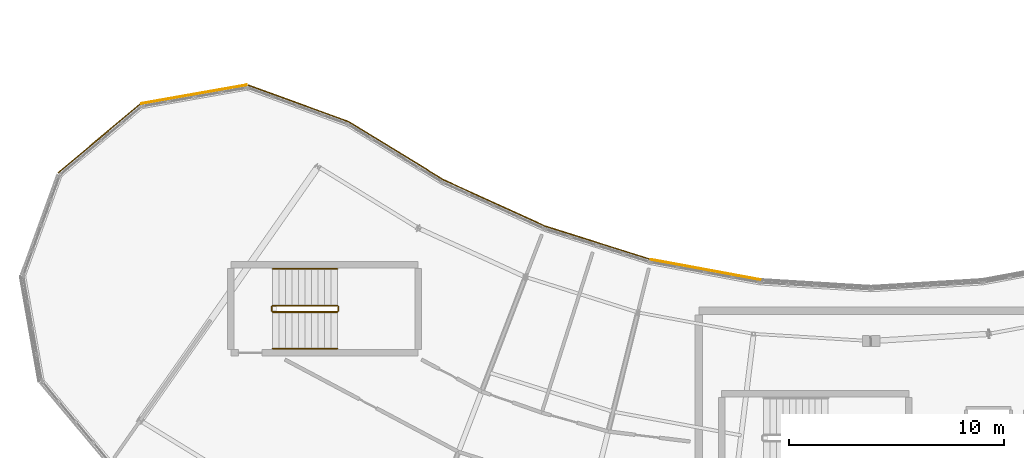
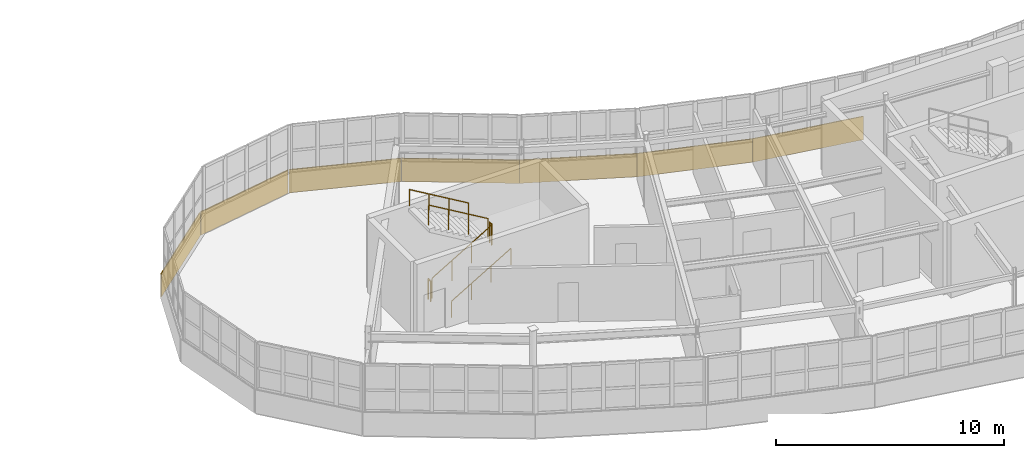
# One storey, part 59 of 65: 7 coverings, 6 railings.
"""IFC4 building model written with IfcOpenShell, lengths in metres."""

from ifc_helpers import new_model, si_unit, direction, frame, origin, origin_2d, place, context, subcontext, project, spatial, rectangle, circle, extrude, material, layer, layer_set, type_object, element, save


model = new_model("IFC4")

# Units and contexts
model_context = context("Model", 3, precision=1e-05, world=origin(), true_north=direction((0.0, 1.0)))
body_context = subcontext(model_context, "Body", "Model", "MODEL_VIEW")
ifc_project = project(units=[si_unit("LENGTHUNIT", "METRE"), si_unit("AREAUNIT", "SQUARE_METRE"), si_unit("VOLUMEUNIT", "CUBIC_METRE"), si_unit("PLANEANGLEUNIT", "RADIAN"), si_unit("MASSUNIT", "GRAM", prefix="KILO")], contexts=[model_context])

# Site, building, storey
site_placement = place(None, origin())
site = spatial("IfcSite", under=ifc_project, at=site_placement, CompositionType="ELEMENT")
building_placement = place(site_placement, origin())
building = spatial("IfcBuilding", under=site, at=building_placement, Name="Tarnwether General Hospital", CompositionType="ELEMENT")
storey_placement = place(building_placement, frame((0.0, 0.0, 22.199951171875)))
storey = spatial("IfcBuildingStorey", under=building, at=storey_placement, Name="L05", CompositionType="ELEMENT", Elevation=22.199951171875)

# Coverings
ifc_material_1 = material(Name="Streamlined white enamelled aluminium", Category="aluminium")
ifc_layer = layer(ifc_material_1, 0.044921875)
ifc_layer_set = layer_set([ifc_layer], Name="Streamlined white enamelled aluminium")
covering_type = type_object("IfcCoveringType", Name="CV-CLD-WHT", PredefinedType="CLADDING", material=ifc_layer_set)
covering_1_placement = place(storey_placement, frame((84.31201171875, 21.51708984375, -0.175048828125), z_axis=(0.0, 0.0, 1.0), x_axis=(0.983267627608, -0.182166880906, 0.0)))
element("IfcCovering", 1, at=covering_1_placement, inside=storey, type_object=covering_type, Name="Streamlined White Horizontal Band SE L05 19", PredefinedType="CLADDING", context=body_context, shape_type="SweptSolid", body=[
    extrude(rectangle(XDim=5.177001953125, YDim=0.044921875, at=origin_2d()), origin(), (0.0, 0.0, 1.0), 1.25),
])
covering_2_placement = place(storey_placement, frame((79.31396484375, 22.762939453125, -0.175048828125), z_axis=(0.0, 0.0, 1.0), x_axis=(0.953711702297, -0.300722444959, 0.0)))
element("IfcCovering", 2, at=covering_2_placement, inside=storey, type_object=covering_type, Name="Streamlined White Horizontal Band SE L05 20", PredefinedType="CLADDING", context=body_context, shape_type="SweptSolid", body=[
    extrude(rectangle(XDim=5.177978515625, YDim=0.044921875, at=origin_2d()), origin(), (0.0, 0.0, 1.0), 1.25),
])
for number, where, z_axis, x_axis, name in (
    (3, (74.50390625, 24.610107421875, -0.175048828125), (0.0, 0.0, 1.0), (0.909954032975, -0.414709124413, 0.0), "Streamlined White Horizontal Band SE L05 21"),
    (4, (69.9560546875, 27.028076171875, -0.175048828125), (0.0, 0.0, 1.0), (0.852631044904, -0.522513446015, 0.0), "Streamlined White Horizontal Band SE L05 22"),
):
    element("IfcCovering", number, at=place(storey_placement, frame(where, z_axis=z_axis, x_axis=x_axis)), inside=storey, type_object=covering_type, Name=name, PredefinedType="CLADDING", context=body_context, shape_type="SweptSolid", body=[
        extrude(rectangle(XDim=5.177001953125, YDim=0.044921875, at=origin_2d()), origin(), (0.0, 0.0, 1.0), 1.25),
    ])
covering_3_placement = place(storey_placement, frame((65.39111328125, 29.241943359375, -0.175048828125), z_axis=(0.0, 0.0, 1.0), x_axis=(0.93965082813, -0.342134945884, 0.0)))
element("IfcCovering", 5, at=covering_3_placement, inside=storey, type_object=covering_type, Name="Streamlined White Horizontal Band SE L05 23", PredefinedType="CLADDING", context=body_context, shape_type="SweptSolid", body=[
    extrude(rectangle(XDim=4.968994140625, YDim=0.044921875, at=origin_2d()), origin(), (0.0, 0.0, 1.0), 1.25),
])
for number, where, z_axis, x_axis, name in (
    (6, (60.541015625, 29.666015625, -0.175048828125), (0.0, 0.0, 1.0), (0.98480472213, 0.173665365778, 0.0), "Streamlined White Horizontal Band SE L05 24"),
    (7, (56.12890625, 27.60888671875, -0.175048828125), (0.0, 0.0, 1.0), (0.765988346401, 0.642854457228, 0.0), "Streamlined White Horizontal Band SE L05 25"),
):
    element("IfcCovering", number, at=place(storey_placement, frame(where, z_axis=z_axis, x_axis=x_axis)), inside=storey, type_object=covering_type, Name=name, PredefinedType="CLADDING", context=body_context, shape_type="SweptSolid", body=[
        extrude(rectangle(XDim=4.969970703125, YDim=0.044921875, at=origin_2d()), origin(), (0.0, 0.0, 1.0), 1.25),
    ])

# Railings
ifc_material_2 = material(Name="Anodised aluminium", Category="aluminium")
railing_type_1 = type_object("IfcRailingType", Name="RL-GRD-INT", PredefinedType="GUARDRAIL", material=ifc_material_2)
railing_1_placement = place(storey_placement, frame((64.199951171875, 19.550048828125, 0.17724609375)))
element("IfcRailing", 8, at=railing_1_placement, inside=storey, type_object=railing_type_1, Name="L05 ST-09 stair guard 1", PredefinedType="GUARDRAIL", context=body_context, shape_type="SweptSolid", body=[
    extrude(circle(Radius=0.02392578125, at=origin_2d()), frame((0.0, 0.0, 1.076171875), z_axis=(0.86092931783, 0.0, 0.508724591208), x_axis=(0.0, 1.0, 0.0)), (0.0, 0.0, 1.0), 3.484619140625),
    extrude(circle(Radius=0.02099609375, at=origin_2d()), origin(), (0.0, 0.0, 1.0), 1.052001953125),
    extrude(circle(Radius=0.02099609375, at=origin_2d()), frame((1.0, 0.0, 0.5908203125)), (0.0, 0.0, 1.0), 1.052001953125),
    extrude(circle(Radius=0.02099609375, at=origin_2d()), frame((2.0, 0.0, 1.181884765625)), (0.0, 0.0, 1.0), 1.052001953125),
    extrude(circle(Radius=0.02099609375, at=origin_2d()), frame((3.0, 0.0, 1.772705078125)), (0.0, 0.0, 1.0), 1.052001953125),
])
railing_2_placement = place(storey_placement, frame((67.25, 19.60009765625, 1.949951171875)))
element("IfcRailing", 9, at=railing_2_placement, inside=storey, type_object=railing_type_1, Name="L05 ST-09 stair guard 2", PredefinedType="GUARDRAIL", context=body_context, shape_type="SweptSolid", body=[
    extrude(circle(Radius=0.02392578125, at=origin_2d()), frame((0.0, 0.0, 1.076171875), z_axis=(0.0, 1.0, 0.0), x_axis=(-1.0, 0.0, 0.0)), (0.0, 0.0, 1.0), 0.199951171875),
    extrude(circle(Radius=0.02099609375, at=origin_2d()), origin(), (0.0, 0.0, 1.0), 1.052001953125),
    extrude(circle(Radius=0.02099609375, at=origin_2d()), frame((0.0, 0.199951171875, 0.0)), (0.0, 0.0, 1.0), 1.052001953125),
])
railing_3_placement = place(storey_placement, frame((67.199951171875, 19.85009765625, 2.12744140625)))
element("IfcRailing", 10, at=railing_3_placement, inside=storey, type_object=railing_type_1, Name="L05 ST-09 stair guard 3", PredefinedType="GUARDRAIL", context=body_context, shape_type="SweptSolid", body=[
    extrude(circle(Radius=0.02392578125, at=origin_2d()), frame((0.0, 0.0, 1.076171875), z_axis=(-0.86092931783, 0.0, 0.508724591208), x_axis=(0.0, -1.0, 0.0)), (0.0, 0.0, 1.0), 3.484619140625),
    extrude(circle(Radius=0.02099609375, at=origin_2d()), origin(), (0.0, 0.0, 1.0), 1.052001953125),
    extrude(circle(Radius=0.02099609375, at=origin_2d()), frame((-1.0, 0.0, 0.5908203125)), (0.0, 0.0, 1.0), 1.052001953125),
    extrude(circle(Radius=0.02099609375, at=origin_2d()), frame((-2.0, 0.0, 1.181884765625)), (0.0, 0.0, 1.0), 1.052001953125),
    extrude(circle(Radius=0.02099609375, at=origin_2d()), frame((-3.0, 0.0, 1.772705078125)), (0.0, 0.0, 1.0), 1.052001953125),
])
railing_4_placement = place(storey_placement, frame((64.14990234375, 19.60009765625, 0.0)))
element("IfcRailing", 11, at=railing_4_placement, inside=storey, type_object=railing_type_1, Name="L05 ST-09 stair guard 4", PredefinedType="GUARDRAIL", context=body_context, shape_type="SweptSolid", body=[
    extrude(circle(Radius=0.02392578125, at=origin_2d()), frame((0.0, 0.0, 1.076171875), z_axis=(0.0, 1.0, 0.0), x_axis=(-1.0, 0.0, 0.0)), (0.0, 0.0, 1.0), 0.199951171875),
    extrude(circle(Radius=0.02099609375, at=origin_2d()), origin(), (0.0, 0.0, 1.0), 1.052001953125),
    extrude(circle(Radius=0.02099609375, at=origin_2d()), frame((0.0, 0.199951171875, 0.0)), (0.0, 0.0, 1.0), 1.052001953125),
])
ifc_material_3 = material(Name="Anodised aluminium", Category="aluminium")
railing_type_2 = type_object("IfcRailingType", Name="RL-HND-INT", PredefinedType="HANDRAIL", material=ifc_material_3)
railing_5_placement = place(storey_placement, frame((64.199951171875, 17.85009765625, 0.17724609375)))
element("IfcRailing", 12, at=railing_5_placement, inside=storey, type_object=railing_type_2, Name="L05 ST-09 stair handrail 1", PredefinedType="HANDRAIL", context=body_context, shape_type="SweptSolid", body=[
    extrude(circle(Radius=0.02392578125, at=origin_2d()), frame((0.0, 0.0, 0.8759765625), z_axis=(0.86092931783, 0.0, 0.508724591208), x_axis=(0.0, 1.0, 0.0)), (0.0, 0.0, 1.0), 3.484619140625),
    extrude(circle(Radius=0.02099609375, at=origin_2d()), origin(), (0.0, 0.0, 1.0), 0.851806640625),
    extrude(circle(Radius=0.02099609375, at=origin_2d()), frame((1.0, 0.0, 0.5908203125)), (0.0, 0.0, 1.0), 0.851806640625),
    extrude(circle(Radius=0.02099609375, at=origin_2d()), frame((2.0, 0.0, 1.181884765625)), (0.0, 0.0, 1.0), 0.851806640625),
    extrude(circle(Radius=0.02099609375, at=origin_2d()), frame((3.0, 0.0, 1.772705078125)), (0.0, 0.0, 1.0), 0.851806640625),
])
railing_6_placement = place(storey_placement, frame((67.199951171875, 21.550048828125, 2.12744140625)))
element("IfcRailing", 13, at=railing_6_placement, inside=storey, type_object=railing_type_2, Name="L05 ST-09 stair handrail 2", PredefinedType="HANDRAIL", context=body_context, shape_type="SweptSolid", body=[
    extrude(circle(Radius=0.02392578125, at=origin_2d()), frame((0.0, 0.0, 0.8759765625), z_axis=(-0.86092931783, 0.0, 0.508724591208), x_axis=(0.0, -1.0, 0.0)), (0.0, 0.0, 1.0), 3.484619140625),
    extrude(circle(Radius=0.02099609375, at=origin_2d()), origin(), (0.0, 0.0, 1.0), 0.851806640625),
    extrude(circle(Radius=0.02099609375, at=origin_2d()), frame((-1.0, 0.0, 0.5908203125)), (0.0, 0.0, 1.0), 0.851806640625),
    extrude(circle(Radius=0.02099609375, at=origin_2d()), frame((-2.0, 0.0, 1.181884765625)), (0.0, 0.0, 1.0), 0.851806640625),
    extrude(circle(Radius=0.02099609375, at=origin_2d()), frame((-3.0, 0.0, 1.772705078125)), (0.0, 0.0, 1.0), 0.851806640625),
])

save(model, "model.ifc")
